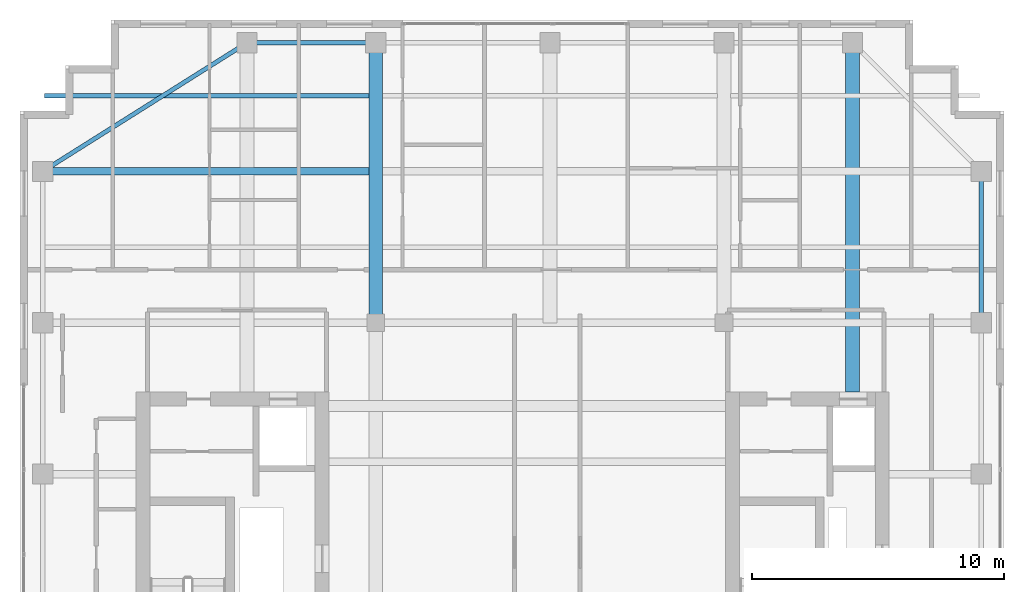
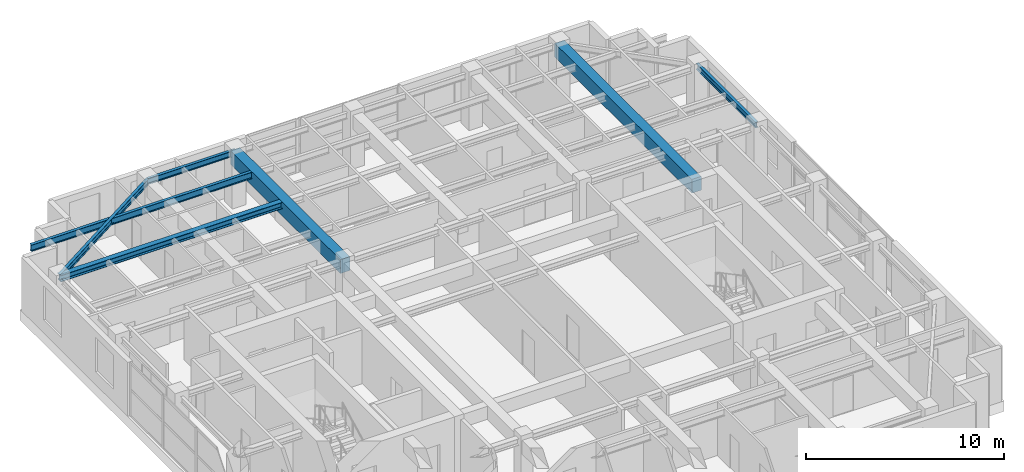
# One storey, part 12 of 21: 7 beams.
"""IFC4 building model written with IfcOpenShell, lengths in metres."""

from ifc_helpers import new_model, si_unit, direction, frame, origin, origin_2d, place, context, subcontext, project, spatial, rectangle, i_section, extrude, source, transform, mapped, material, material_profile, profile_set, type_object, element, save


model = new_model("IFC4")

# Units and contexts
model_context = context("Model", 3, precision=1e-05, world=origin(), true_north=direction((0.0, 1.0)))
body_context = subcontext(model_context, "Body", "Model", "MODEL_VIEW")
ifc_project = project(units=[si_unit("LENGTHUNIT", "METRE"), si_unit("AREAUNIT", "SQUARE_METRE"), si_unit("VOLUMEUNIT", "CUBIC_METRE"), si_unit("PLANEANGLEUNIT", "RADIAN"), si_unit("MASSUNIT", "GRAM", prefix="KILO")], contexts=[model_context])

# Site, building, storey
site_placement = place(None, origin())
site = spatial("IfcSite", under=ifc_project, at=site_placement, CompositionType="ELEMENT")
building_placement = place(site_placement, origin())
building = spatial("IfcBuilding", under=site, at=building_placement, Name="Khoralis Quay Care Tower", CompositionType="ELEMENT")
storey_placement = place(building_placement, frame((0.0, 0.0, 267.300048828125)))
storey = spatial("IfcBuildingStorey", under=building, at=storey_placement, Name="L70", CompositionType="ELEMENT", Elevation=267.300048828125)

# Beams
ifc_material_1 = material(Name="Steel S355", Category="steel")
ifc_material_profile_1 = material_profile(ifc_material_1, i_section(OverallWidth=0.169921875, OverallDepth=0.360107421875, WebThickness=0.008056640625, FlangeThickness=0.0126953125, FilletRadius=0.01806640625, at=origin_2d()), Name="Steel S355")
ifc_profile_set_1 = profile_set([ifc_material_profile_1], Name="Steel S355")
beam_type_1 = type_object("IfcBeamType", Name="BM-IPE360", PredefinedType="SPANDREL", material=ifc_profile_set_1)
shared_shape_1 = source(origin(), body_context, "Body", "SweptSolid", [
    extrude(i_section(OverallWidth=0.169921875, OverallDepth=0.360107421875, WebThickness=0.008056640625, FlangeThickness=0.0126953125, FilletRadius=0.01806640625, at=origin_2d()), origin(), (0.0, 0.0, 1.0), 5.10009765625),
])
beam_1_placement = place(storey_placement, frame((12.0, 41.10009765625, 3.139892578125), z_axis=(1.0, 0.0, 0.0), x_axis=(0.0, 1.0, 0.0)))
element("IfcBeam", 1, at=beam_1_placement, inside=storey, type_object=beam_type_1, Name="BM-TSP-L70-05", PredefinedType="SPANDREL", context=body_context, shape_type="MappedRepresentation", body=[
    mapped(shared_shape_1, transform((0.0, 0.0, 0.0), scale=1.0)),
])
shared_shape_2 = source(origin(), body_context, "Body", "SweptSolid", [
    extrude(i_section(OverallWidth=0.169921875, OverallDepth=0.360107421875, WebThickness=0.008056640625, FlangeThickness=0.0126953125, FilletRadius=0.01806640625, at=origin_2d()), origin(), (0.0, 0.0, 1.0), 6.0),
])
beam_2_placement = place(storey_placement, frame((41.10009765625, 30.0, 3.139892578125), z_axis=(0.0, 1.0, 0.0), x_axis=(-1.0, 0.0, 0.0)))
element("IfcBeam", 2, at=beam_2_placement, inside=storey, type_object=beam_type_1, Name="BM-TSP-L70-16", PredefinedType="SPANDREL", context=body_context, shape_type="MappedRepresentation", body=[
    mapped(shared_shape_2, transform((0.0, 0.0, 0.0), scale=1.0)),
])
shared_shape_3 = source(origin(), body_context, "Body", "SweptSolid", [
    extrude(i_section(OverallWidth=0.169921875, OverallDepth=0.360107421875, WebThickness=0.008056640625, FlangeThickness=0.0126953125, FilletRadius=0.01806640625, at=origin_2d()), origin(), (0.0, 0.0, 1.0), 9.572021484375),
])
beam_3_placement = place(storey_placement, frame((12.0, 41.10009765625, 3.139892578125), z_axis=(-0.846231136359, -0.532815975602, 0.0), x_axis=(0.532815975602, -0.846231136359, 0.0)))
element("IfcBeam", 3, at=beam_3_placement, inside=storey, type_object=beam_type_1, Name="BM-TCR-L70-19", PredefinedType="SPANDREL", context=body_context, shape_type="MappedRepresentation", body=[
    mapped(shared_shape_3, transform((0.0, 0.0, 0.0), scale=1.0)),
])
ifc_material_profile_2 = material_profile(ifc_material_1, i_section(OverallWidth=0.300048828125, OverallDepth=0.39990234375, WebThickness=0.013427734375, FlangeThickness=0.02392578125, FilletRadius=0.027099609375, at=origin_2d()), Name="Steel S355")
ifc_profile_set_2 = profile_set([ifc_material_profile_2], Name="Steel S355")
beam_type_2 = type_object("IfcBeamType", Name="BM-HEB400", PredefinedType="BEAM", material=ifc_profile_set_2)
shared_shape_4 = source(origin(), body_context, "Body", "SweptSolid", [
    extrude(i_section(OverallWidth=0.300048828125, OverallDepth=0.39990234375, WebThickness=0.013427734375, FlangeThickness=0.02392578125, FilletRadius=0.027099609375, at=origin_2d()), origin(), (0.0, 0.0, 1.0), 12.93701171875),
])
beam_4_placement = place(storey_placement, frame((3.89990234375, 36.0, 3.119873046875), z_axis=(1.0, 0.0, 0.0), x_axis=(0.0, 1.0, 0.0)))
element("IfcBeam", 4, at=beam_4_placement, inside=storey, type_object=beam_type_2, Name="BM-TGXW-L70-360", PredefinedType="BEAM", context=body_context, shape_type="MappedRepresentation", body=[
    mapped(shared_shape_4, transform((0.0, 0.0, 0.0), scale=1.0)),
])
ifc_material_2 = material(Name="Concrete C50/60", Category="concrete")
ifc_material_profile_3 = material_profile(ifc_material_2, rectangle(XDim=0.550048828125, YDim=0.85009765625, at=origin_2d()), Name="Concrete C50/60")
ifc_profile_set_3 = profile_set([ifc_material_profile_3], Name="Concrete C50/60")
beam_type_3 = type_object("IfcBeamType", Name="BM-RC550X850", PredefinedType="BEAM", material=ifc_profile_set_3)
shared_shape_5 = source(origin(), body_context, "Body", "SweptSolid", [
    extrude(rectangle(XDim=0.550048828125, YDim=0.85009765625, at=origin_2d()), origin(), (0.0, 0.0, 1.0), 13.85205078125),
])
beam_5_placement = place(storey_placement, frame((36.0, 27.248046875, 2.89501953125), z_axis=(0.0, 1.0, 0.0), x_axis=(-1.0, 0.0, 0.0)))
element("IfcBeam", 5, at=beam_5_placement, inside=storey, type_object=beam_type_3, Name="BM-TGYN-L70-360", PredefinedType="BEAM", context=body_context, shape_type="MappedRepresentation", body=[
    mapped(shared_shape_5, transform((0.0, 0.0, 0.0), scale=1.0)),
])
shared_shape_6 = source(origin(), body_context, "Body", "SweptSolid", [
    extrude(rectangle(XDim=0.550048828125, YDim=0.85009765625, at=origin_2d()), origin(), (0.0, 0.0, 1.0), 11.10009765625),
])
beam_6_placement = place(storey_placement, frame((17.10009765625, 30.0, 2.89501953125), z_axis=(0.0, 1.0, 0.0), x_axis=(-1.0, 0.0, 0.0)))
element("IfcBeam", 6, at=beam_6_placement, inside=storey, type_object=beam_type_3, Name="BM-TGYN-L70-171", PredefinedType="BEAM", context=body_context, shape_type="MappedRepresentation", body=[
    mapped(shared_shape_6, transform((0.0, 0.0, 0.0), scale=1.0)),
])
ifc_material_profile_4 = material_profile(ifc_material_1, i_section(OverallWidth=0.177978515625, OverallDepth=0.406982421875, WebThickness=0.0078125, FlangeThickness=0.0126953125, FilletRadius=0.012939453125, at=origin_2d()), Name="Steel S355")
ifc_profile_set_4 = profile_set([ifc_material_profile_4], Name="Steel S355")
beam_type_4 = type_object("IfcBeamType", Name="BM-W410X60", PredefinedType="JOIST", material=ifc_profile_set_4)
shared_shape_7 = source(origin(), body_context, "Body", "SweptSolid", [
    extrude(i_section(OverallWidth=0.177978515625, OverallDepth=0.406982421875, WebThickness=0.0078125, FlangeThickness=0.0126953125, FilletRadius=0.012939453125, at=origin_2d()), origin(), (0.0, 0.0, 1.0), 12.865966796875),
])
beam_7_placement = place(storey_placement, frame((3.970947265625, 39.0, 3.116455078125), z_axis=(1.0, 0.0, 0.0), x_axis=(0.0, 1.0, 0.0)))
element("IfcBeam", 7, at=beam_7_placement, inside=storey, type_object=beam_type_4, Name="BM-TJS-L70-27", PredefinedType="JOIST", context=body_context, shape_type="MappedRepresentation", body=[
    mapped(shared_shape_7, transform((0.0, 0.0, 0.0), scale=1.0)),
])

save(model, "model.ifc")
